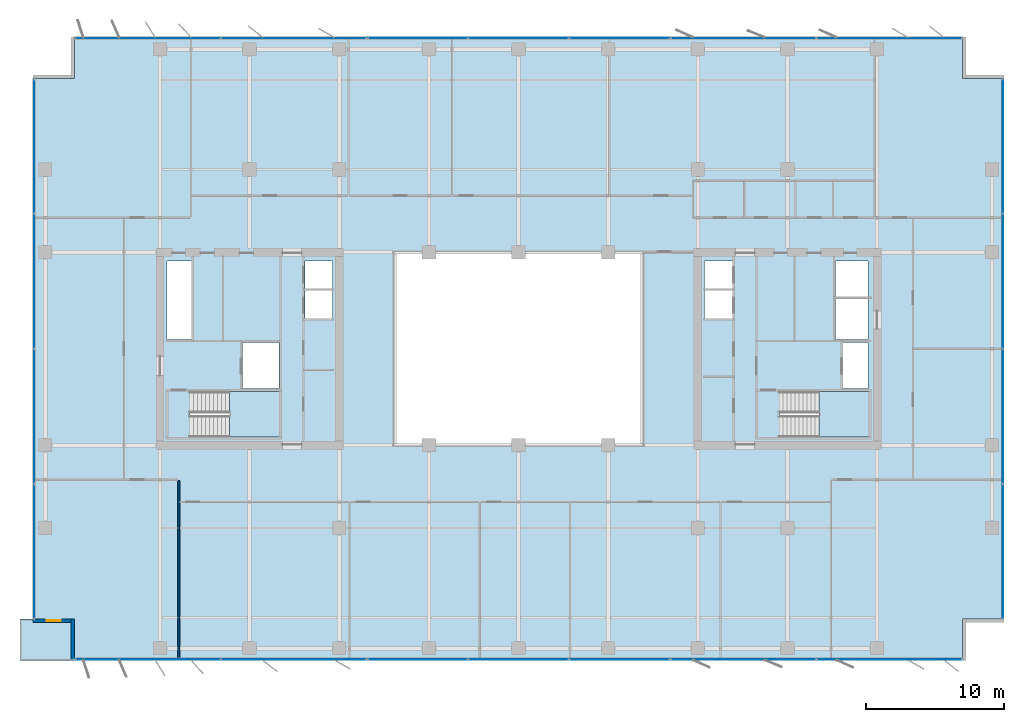
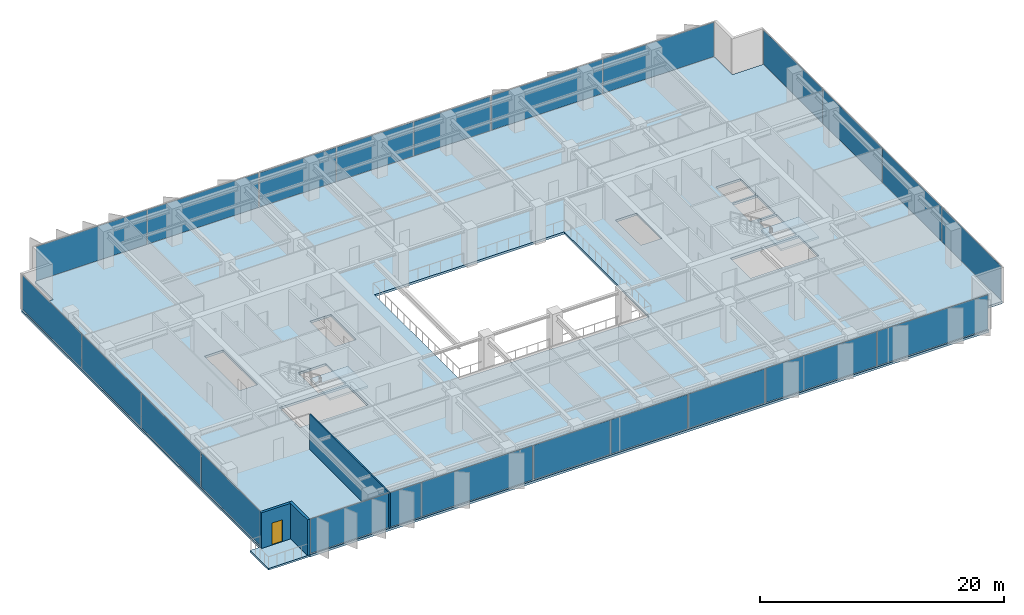
# One storey, part 14 of 22: 22 plates, 4 slabs, 3 walls, 1 door, 1 opening, 10 elements without a shape of their own.
"""IFC4 building model written with IfcOpenShell, lengths in metres."""

import ifcopenshell
import ifcopenshell.guid

model = None  # the IFC model being written
_history = None  # IfcOwnerHistory: only IFC2X3 demands one
_inside = {}  # id of a spatial element -> (the spatial element, [elements in it])
_under = {}  # id of a project, library or spatial element -> (it, [spatial elements below it])
_declared = {}  # id of a project -> (the project, [libraries it declares])
_typed = {}  # id of a type object -> (the type object, [elements of that type])
_made_of = {}  # id of a material, layer set ... -> (it, [elements and type objects made of it])


def new_model(schema):
    """Start an empty IFC model of exactly this schema.

    Asked for "IFC4X3", IfcOpenShell would pick the latest addendum, in which some entities
    have other attributes; the version numbers below select the first issue.
    IFC2X3 requires an IfcOwnerHistory on every rooted entity: one is made here for all.
    """
    global model, _history
    if schema == "IFC4X3":
        model = ifcopenshell.file(schema_version=(4, 3, 0, 0))
    else:
        model = ifcopenshell.file(schema=schema)
    _inside.clear()
    _under.clear()
    _declared.clear()
    _typed.clear()
    _made_of.clear()
    _history = None
    if model.schema == "IFC2X3":
        org = make("IfcOrganization", Name="unknown")
        user = make(
            "IfcPersonAndOrganization",
            ThePerson=make("IfcPerson", FamilyName="unknown"),
            TheOrganization=org,
        )
        app = make(
            "IfcApplication",
            ApplicationDeveloper=org,
            Version="unknown",
            ApplicationFullName="unknown",
            ApplicationIdentifier="unknown",
        )
        _history = make(
            "IfcOwnerHistory",
            OwningUser=user,
            OwningApplication=app,
            ChangeAction="ADDED",
            CreationDate=0,
        )
    return model


def make(cls, **values):
    """One entity of the class cls with the attributes given. An attribute that is None is left unset."""
    return model.create_entity(
        cls, **{name: value for name, value in values.items() if value is not None}
    )


def rooted(cls, **values):
    """An entity with a GlobalId (a new one), such as an element, a storey or a relation."""
    return make(cls, GlobalId=ifcopenshell.guid.new(), OwnerHistory=_history, **values)


def si_unit(unit_type, name, prefix=None):
    """IfcSIUnit, for example si_unit("LENGTHUNIT", "METRE", prefix="MILLI")."""
    return make("IfcSIUnit", UnitType=unit_type, Prefix=prefix, Name=name)


def assignment(units):
    """IfcUnitAssignment: the units of a project."""
    return None if units is None else make("IfcUnitAssignment", Units=units)


def point(xyz):
    """IfcCartesianPoint."""
    return None if xyz is None else make("IfcCartesianPoint", Coordinates=xyz)


def direction(xyz):
    """IfcDirection."""
    return None if xyz is None else make("IfcDirection", DirectionRatios=xyz)


def frame(location, z_axis=None, x_axis=None):
    """IfcAxis2Placement3D, a coordinate frame: its origin and axes. An axis left out is left unset."""
    return make(
        "IfcAxis2Placement3D",
        Location=point(location),
        Axis=direction(z_axis),
        RefDirection=direction(x_axis),
    )


def frame_2d(location, x_axis=None):
    """IfcAxis2Placement2D, a coordinate frame in the plane: its origin and x axis."""
    return make(
        "IfcAxis2Placement2D", Location=point(location), RefDirection=direction(x_axis)
    )


def origin():
    """The frame at (0, 0, 0) with its axes left unset."""
    return frame((0.0, 0.0, 0.0))


def origin_2d():
    """The frame at (0, 0) in the plane with its x axis left unset."""
    return frame_2d((0.0, 0.0))


def place(relative_to, where):
    """IfcLocalPlacement: puts the frame where relative to a parent placement (None: the world)."""
    return make(
        "IfcLocalPlacement", PlacementRelTo=relative_to, RelativePlacement=where
    )


def context(
    kind, dimensions, precision=None, world=None, true_north=None, identifier=None
):
    """IfcGeometricRepresentationContext, for example the 3D "Model" context."""
    return make(
        "IfcGeometricRepresentationContext",
        ContextIdentifier=identifier,
        ContextType=kind,
        CoordinateSpaceDimension=dimensions,
        Precision=precision,
        WorldCoordinateSystem=world,
        TrueNorth=true_north,
    )


def subcontext(parent, identifier, kind, view, scale=None):
    """IfcGeometricRepresentationSubContext, for example "Body" below "Model"."""
    return make(
        "IfcGeometricRepresentationSubContext",
        ContextIdentifier=identifier,
        ContextType=kind,
        ParentContext=parent,
        TargetScale=scale,
        TargetView=view,
    )


def project(units=None, contexts=None):
    """IfcProject with its units and contexts."""
    return rooted(
        "IfcProject",
        Name="project",
        RepresentationContexts=contexts,
        UnitsInContext=assignment(units),
    )


def spatial(cls, under=None, at=None, **own):
    """A site, building, storey or space (cls), placed at a placement, below another one or the project."""
    s = rooted(cls, ObjectPlacement=at, **own)
    if under is not None:
        _under.setdefault(under.id(), (under, []))[1].append(s)
    return s


def polyline(points):
    """IfcPolyline through the points."""
    return make("IfcPolyline", Points=[point(p) for p in points])


def profile(cls, at=None, kind="AREA", **sizes):
    """A parametric profile (cls). Its sizes go by their IFC names, for example OverallWidth=200.0."""
    return make(cls, ProfileType=kind, Position=at, **sizes)


def rectangle(**sizes):
    """IfcRectangleProfileDef."""
    return profile("IfcRectangleProfileDef", **sizes)


def outline(outer, holes=None, kind="AREA"):
    """IfcArbitraryClosedProfileDef: a profile drawn as a closed curve; with holes, ...WithVoids."""
    if holes is None:
        return make("IfcArbitraryClosedProfileDef", ProfileType=kind, OuterCurve=outer)
    return make(
        "IfcArbitraryProfileDefWithVoids",
        ProfileType=kind,
        OuterCurve=outer,
        InnerCurves=holes,
    )


def extrude(swept, where, along, depth):
    """IfcExtrudedAreaSolid: the profile swept, set in the frame where, extruded along a direction by depth."""
    return make(
        "IfcExtrudedAreaSolid",
        SweptArea=swept,
        Position=where,
        ExtrudedDirection=direction(along),
        Depth=depth,
    )


def shape(context_of_items, identifier, shape_type, items):
    """IfcShapeRepresentation: the items that make up one representation, for example the "Body"."""
    return make(
        "IfcShapeRepresentation",
        ContextOfItems=context_of_items,
        RepresentationIdentifier=identifier,
        RepresentationType=shape_type,
        Items=items,
    )


def material(Name=None, Category=None):
    """IfcMaterial."""
    return make("IfcMaterial", Name=Name, Category=Category)


def layer(
    of_material, thickness, ventilated=None, Name=None, Category=None, Priority=None
):
    """IfcMaterialLayer: one layer of a wall or slab, of a material (None: an air gap)."""
    return make(
        "IfcMaterialLayer",
        Material=of_material,
        LayerThickness=thickness,
        IsVentilated=ventilated,
        Name=Name,
        Category=Category,
        Priority=Priority,
    )


def layer_set(layers, Name=None):
    """IfcMaterialLayerSet."""
    return make("IfcMaterialLayerSet", MaterialLayers=layers, LayerSetName=Name)


def made_of(thing, what):
    """Note that an element or type object is made of a material, layer set ...; save() writes the relation."""
    if what is not None:
        _made_of.setdefault(what.id(), (what, []))[1].append(thing)
    return thing


def type_object(cls, material=None, **own):
    """A type object (cls), such as IfcWallType, which elements share."""
    return made_of(rooted(cls, **own), material)


def element(
    cls,
    number,
    at=None,
    inside=None,
    cuts=None,
    type_object=None,
    material=None,
    context=None,
    identifier="Body",
    shape_type=None,
    held_by="IfcProductDefinitionShape",
    body=None,
    shapes=None,
    **own,
):
    """One element of the class cls, such as IfcWall. Its Tag is "e" and its number.

    at: its placement. inside: the storey or other place that contains it. cuts: it is an
    opening in that element (IfcRelVoidsElement). A single representation is given by context,
    identifier, shape_type and body (its items); several are given by shapes. held_by: the class
    of the entity that holds the representations. save() writes the other relations.
    """
    e = rooted(cls, Tag="e%d" % number, ObjectPlacement=at, **own)
    if body is not None:
        shapes = [shape(context, identifier, shape_type, body)]
    if shapes is not None:
        e.Representation = make(held_by, Representations=shapes)
    if inside is not None:
        _inside.setdefault(inside.id(), (inside, []))[1].append(e)
    if cuts is not None:
        rooted(
            "IfcRelVoidsElement", RelatingBuildingElement=cuts, RelatedOpeningElement=e
        )
    if type_object is not None:
        _typed.setdefault(type_object.id(), (type_object, []))[1].append(e)
    return made_of(e, material)


def fill(opening, filler):
    """IfcRelFillsElement: the door or window that sits in an opening."""
    return rooted(
        "IfcRelFillsElement",
        RelatingOpeningElement=opening,
        RelatedBuildingElement=filler,
    )


def aggregate(whole, parts):
    """IfcRelAggregates: a whole, such as a stair, and the parts it consists of."""
    return rooted("IfcRelAggregates", RelatingObject=whole, RelatedObjects=parts)


def save(model, path):
    """Write the relations noted so far, then the file.

    IfcRelAggregates (storeys below a building ...), IfcRelContainedInSpatialStructure (elements
    in a storey), IfcRelDefinesByType, IfcRelAssociatesMaterial and IfcRelDeclares: one each for
    every whole, place, type object, material and project.
    """
    for whole, parts in _under.values():
        aggregate(whole, parts)
    for where, things in _inside.values():
        rooted(
            "IfcRelContainedInSpatialStructure",
            RelatedElements=things,
            RelatingStructure=where,
        )
    for kind, things in _typed.values():
        rooted("IfcRelDefinesByType", RelatedObjects=things, RelatingType=kind)
    for what, things in _made_of.values():
        rooted("IfcRelAssociatesMaterial", RelatedObjects=things, RelatingMaterial=what)
    for by, libraries in _declared.values():
        rooted("IfcRelDeclares", RelatingContext=by, RelatedDefinitions=libraries)
    model.write(path)


model = new_model("IFC4")

# Units and contexts
model_context = context("Model", 3, precision=1e-05, world=origin(), true_north=direction((0.0, 1.0)))
body_context = subcontext(model_context, "Body", "Model", "MODEL_VIEW")
ifc_project = project(units=[si_unit("LENGTHUNIT", "METRE"), si_unit("AREAUNIT", "SQUARE_METRE"), si_unit("VOLUMEUNIT", "CUBIC_METRE"), si_unit("PLANEANGLEUNIT", "RADIAN"), si_unit("MASSUNIT", "GRAM", prefix="KILO")], contexts=[model_context])

# Site, building, storey
site_placement = place(None, origin())
site = spatial("IfcSite", under=ifc_project, at=site_placement, CompositionType="ELEMENT")
building_placement = place(site_placement, origin())
building = spatial("IfcBuilding", under=site, at=building_placement, Name="Putna Gate Headquarters", CompositionType="ELEMENT")
storey_placement = place(building_placement, frame((0.0, 0.0, 170.800048828125)))
storey = spatial("IfcBuildingStorey", under=building, at=storey_placement, Name="L42", CompositionType="ELEMENT", Elevation=170.800048828125)

# Stair, slab
ifc_material_1 = material(Name="Concrete C40/50", Category="concrete")
stair_type_1 = type_object("IfcStairType", Name="STAIR-ST1", PredefinedType="HALF_TURN_STAIR", material=ifc_material_1)
stair_1_placement = place(storey_placement, origin())
stair_1 = element("IfcStair", 1, at=stair_1_placement, inside=storey, type_object=stair_type_1, Name="L42 West Core Exit Stair ST1", PredefinedType="HALF_TURN_STAIR")
ifc_layer_1 = layer(ifc_material_1, 0.199951171875)
ifc_layer_set_1 = layer_set([ifc_layer_1], Name="Concrete C40/50")
slab_type_1 = type_object("IfcSlabType", Name="LANDING-ST1", PredefinedType="LANDING", material=ifc_layer_set_1)
slab_1_placement = place(storey_placement, frame((0.0, 0.0, 1.699951171875)))
slab_1 = element("IfcSlab", 2, at=slab_1_placement, type_object=slab_type_1, Name="ST1 landing 1", PredefinedType="LANDING", context=body_context, shape_type="SweptSolid", body=[
    extrude(outline(polyline([(18.050048828125, 19.60009765625), (21.64990234375, 19.60009765625), (21.64990234375, 22.89990234375), (18.050048828125, 22.89990234375), (18.050048828125, 19.60009765625)])), origin(), (0.0, 0.0, 1.0), 0.199951171875),
])
aggregate(stair_1, [slab_1])

stair_type_2 = type_object("IfcStairType", Name="STAIR-ST2", PredefinedType="HALF_TURN_STAIR", material=ifc_material_1)
stair_2_placement = place(storey_placement, origin())
stair_2 = element("IfcStair", 3, at=stair_2_placement, inside=storey, type_object=stair_type_2, Name="L42 East Core Exit Stair ST2", PredefinedType="HALF_TURN_STAIR")
ifc_layer_2 = layer(ifc_material_1, 0.199951171875)
ifc_layer_set_2 = layer_set([ifc_layer_2], Name="Concrete C40/50")
slab_type_2 = type_object("IfcSlabType", Name="LANDING-ST2", PredefinedType="LANDING", material=ifc_layer_set_2)
slab_2_placement = place(storey_placement, frame((0.0, 0.0, 1.699951171875)))
slab_2 = element("IfcSlab", 4, at=slab_2_placement, type_object=slab_type_2, Name="ST2 landing 1", PredefinedType="LANDING", context=body_context, shape_type="SweptSolid", body=[
    extrude(outline(polyline([(60.800048828125, 19.60009765625), (64.39990234375, 19.60009765625), (64.39990234375, 22.89990234375), (60.800048828125, 22.89990234375), (60.800048828125, 19.60009765625)])), origin(), (0.0, 0.0, 1.0), 0.199951171875),
])
aggregate(stair_2, [slab_2])

# Curtain wall, plates
ifc_material_2 = material(Name="Anodised bronze aluminium curtain wall", Category="aluminium")
ifc_layer_3 = layer(ifc_material_2, 0.159912109375)
ifc_layer_set_3 = layer_set([ifc_layer_3], Name="Anodised bronze aluminium curtain wall")
curtain_wall_type_1 = type_object("IfcCurtainWallType", Name="CW-SYS-Z3", PredefinedType="USERDEFINED", material=ifc_layer_set_3)
curtain_wall_1_placement = place(storey_placement, origin())
curtain_wall_1 = element("IfcCurtainWall", 5, at=curtain_wall_1_placement, inside=storey, type_object=curtain_wall_type_1, Name="L42 South West Curtain Wall", ObjectType="STICK CURTAIN WALL", PredefinedType="USERDEFINED")
ifc_material_3 = material(Name="Solar-control triple low-E glass", Category="glass")
ifc_layer_4 = layer(ifc_material_3, 0.028076171875)
ifc_layer_set_4 = layer_set([ifc_layer_4], Name="Solar-control triple low-E glass")
plate_type_1 = type_object("IfcPlateType", Name="PAN-CWP-3", PredefinedType="CURTAIN_PANEL", material=ifc_layer_set_4)
plate_1_placement = place(storey_placement, frame((12.1162109375, 3.47998046875, 0.06005859375), z_axis=(0.0, 0.0, 1.0), x_axis=(1.0, 0.0, 0.0)))
plate_1 = element("IfcPlate", 6, at=plate_1_placement, type_object=plate_type_1, Name="CWS-3 panel 1.1", PredefinedType="CURTAIN_PANEL", context=body_context, shape_type="SweptSolid", body=[
    extrude(rectangle(XDim=10.50244140625, YDim=0.028076171875, at=origin_2d()), origin(), (0.0, 0.0, 1.0), 3.451904296875),
])
plate_2_placement = place(storey_placement, frame((22.683837890625, 3.47998046875, 0.06005859375), z_axis=(0.0, 0.0, 1.0), x_axis=(1.0, 0.0, 0.0)))
plate_2 = element("IfcPlate", 7, at=plate_2_placement, type_object=plate_type_1, Name="CWS-3 panel 2.1", PredefinedType="CURTAIN_PANEL", context=body_context, shape_type="SweptSolid", body=[
    extrude(rectangle(XDim=10.50244140625, YDim=0.028076171875, at=origin_2d()), origin(), (0.0, 0.0, 1.0), 3.451904296875),
])
aggregate(curtain_wall_1, [plate_1, plate_2])

curtain_wall_2_placement = place(storey_placement, origin())
curtain_wall_2 = element("IfcCurtainWall", 8, at=curtain_wall_2_placement, inside=storey, type_object=curtain_wall_type_1, Name="L42 South East Curtain Wall", ObjectType="STICK CURTAIN WALL", PredefinedType="USERDEFINED")
plate_3_placement = place(storey_placement, frame((55.316162109375, 3.47998046875, 0.06005859375), z_axis=(0.0, 0.0, 1.0), x_axis=(1.0, 0.0, 0.0)))
plate_3 = element("IfcPlate", 9, at=plate_3_placement, type_object=plate_type_1, Name="CWS-3 panel 1.1", PredefinedType="CURTAIN_PANEL", context=body_context, shape_type="SweptSolid", body=[
    extrude(rectangle(XDim=10.50244140625, YDim=0.028076171875, at=origin_2d()), origin(), (0.0, 0.0, 1.0), 3.451904296875),
])
plate_4_placement = place(storey_placement, frame((65.8837890625, 3.47998046875, 0.06005859375), z_axis=(0.0, 0.0, 1.0), x_axis=(1.0, 0.0, 0.0)))
plate_4 = element("IfcPlate", 10, at=plate_4_placement, type_object=plate_type_1, Name="CWS-3 panel 2.1", PredefinedType="CURTAIN_PANEL", context=body_context, shape_type="SweptSolid", body=[
    extrude(rectangle(XDim=10.50244140625, YDim=0.028076171875, at=origin_2d()), origin(), (0.0, 0.0, 1.0), 3.451904296875),
])
aggregate(curtain_wall_2, [plate_3, plate_4])

curtain_wall_3_placement = place(storey_placement, origin())
curtain_wall_3 = element("IfcCurtainWall", 11, at=curtain_wall_3_placement, inside=storey, type_object=curtain_wall_type_1, Name="L42 North West Curtain Wall", ObjectType="STICK CURTAIN WALL", PredefinedType="USERDEFINED")
plate_5_placement = place(storey_placement, frame((12.1162109375, 48.52001953125, 0.06005859375), z_axis=(0.0, 0.0, 1.0), x_axis=(1.0, 0.0, 0.0)))
plate_5 = element("IfcPlate", 12, at=plate_5_placement, type_object=plate_type_1, Name="CWS-3 panel 1.1", PredefinedType="CURTAIN_PANEL", context=body_context, shape_type="SweptSolid", body=[
    extrude(rectangle(XDim=10.50244140625, YDim=0.028076171875, at=origin_2d()), origin(), (0.0, 0.0, 1.0), 3.451904296875),
])
plate_6_placement = place(storey_placement, frame((22.683837890625, 48.52001953125, 0.06005859375), z_axis=(0.0, 0.0, 1.0), x_axis=(1.0, 0.0, 0.0)))
plate_6 = element("IfcPlate", 13, at=plate_6_placement, type_object=plate_type_1, Name="CWS-3 panel 2.1", PredefinedType="CURTAIN_PANEL", context=body_context, shape_type="SweptSolid", body=[
    extrude(rectangle(XDim=10.50244140625, YDim=0.028076171875, at=origin_2d()), origin(), (0.0, 0.0, 1.0), 3.451904296875),
])
aggregate(curtain_wall_3, [plate_5, plate_6])

curtain_wall_4_placement = place(storey_placement, origin())
curtain_wall_4 = element("IfcCurtainWall", 14, at=curtain_wall_4_placement, inside=storey, type_object=curtain_wall_type_1, Name="L42 North East Curtain Wall", ObjectType="STICK CURTAIN WALL", PredefinedType="USERDEFINED")
plate_7_placement = place(storey_placement, frame((55.316162109375, 48.52001953125, 0.06005859375), z_axis=(0.0, 0.0, 1.0), x_axis=(1.0, 0.0, 0.0)))
plate_7 = element("IfcPlate", 15, at=plate_7_placement, type_object=plate_type_1, Name="CWS-3 panel 1.1", PredefinedType="CURTAIN_PANEL", context=body_context, shape_type="SweptSolid", body=[
    extrude(rectangle(XDim=10.50244140625, YDim=0.028076171875, at=origin_2d()), origin(), (0.0, 0.0, 1.0), 3.451904296875),
])
plate_8_placement = place(storey_placement, frame((65.8837890625, 48.52001953125, 0.06005859375), z_axis=(0.0, 0.0, 1.0), x_axis=(1.0, 0.0, 0.0)))
plate_8 = element("IfcPlate", 16, at=plate_8_placement, type_object=plate_type_1, Name="CWS-3 panel 2.1", PredefinedType="CURTAIN_PANEL", context=body_context, shape_type="SweptSolid", body=[
    extrude(rectangle(XDim=10.50244140625, YDim=0.028076171875, at=origin_2d()), origin(), (0.0, 0.0, 1.0), 3.451904296875),
])
aggregate(curtain_wall_4, [plate_7, plate_8])

curtain_wall_5_placement = place(storey_placement, origin())
curtain_wall_5 = element("IfcCurtainWall", 17, at=curtain_wall_5_placement, inside=storey, type_object=curtain_wall_type_1, Name="L42 West Curtain Wall", ObjectType="STICK CURTAIN WALL", PredefinedType="USERDEFINED")
plate_9_placement = place(storey_placement, frame((3.8798828125, 11.316162109375, 0.06005859375), z_axis=(0.0, 0.0, 1.0), x_axis=(0.0, 1.0, 0.0)))
plate_9 = element("IfcPlate", 18, at=plate_9_placement, type_object=plate_type_1, Name="CWS-3 panel 1.1", PredefinedType="CURTAIN_PANEL", context=body_context, shape_type="SweptSolid", body=[
    extrude(rectangle(XDim=9.702392578125, YDim=0.028076171875, at=origin_2d()), origin(), (0.0, 0.0, 1.0), 3.451904296875),
])
plate_10_placement = place(storey_placement, frame((3.8798828125, 21.10009765625, 0.06005859375), z_axis=(0.0, 0.0, 1.0), x_axis=(0.0, 1.0, 0.0)))
plate_10 = element("IfcPlate", 19, at=plate_10_placement, type_object=plate_type_1, Name="CWS-3 panel 2.1", PredefinedType="CURTAIN_PANEL", context=body_context, shape_type="SweptSolid", body=[
    extrude(rectangle(XDim=9.735107421875, YDim=0.028076171875, at=origin_2d()), origin(), (0.0, 0.0, 1.0), 3.451904296875),
])
plate_11_placement = place(storey_placement, frame((3.8798828125, 30.89990234375, 0.06005859375), z_axis=(0.0, 0.0, 1.0), x_axis=(0.0, 1.0, 0.0)))
plate_11 = element("IfcPlate", 20, at=plate_11_placement, type_object=plate_type_1, Name="CWS-3 panel 3.1", PredefinedType="CURTAIN_PANEL", context=body_context, shape_type="SweptSolid", body=[
    extrude(rectangle(XDim=9.735107421875, YDim=0.028076171875, at=origin_2d()), origin(), (0.0, 0.0, 1.0), 3.451904296875),
])
plate_12_placement = place(storey_placement, frame((3.8798828125, 40.683837890625, 0.06005859375), z_axis=(0.0, 0.0, 1.0), x_axis=(0.0, 1.0, 0.0)))
plate_12 = element("IfcPlate", 21, at=plate_12_placement, type_object=plate_type_1, Name="CWS-3 panel 4.1", PredefinedType="CURTAIN_PANEL", context=body_context, shape_type="SweptSolid", body=[
    extrude(rectangle(XDim=9.702392578125, YDim=0.028076171875, at=origin_2d()), origin(), (0.0, 0.0, 1.0), 3.451904296875),
])
aggregate(curtain_wall_5, [plate_9, plate_10, plate_11, plate_12])

curtain_wall_6_placement = place(storey_placement, origin())
curtain_wall_6 = element("IfcCurtainWall", 22, at=curtain_wall_6_placement, inside=storey, type_object=curtain_wall_type_1, Name="L42 East Curtain Wall", ObjectType="STICK CURTAIN WALL", PredefinedType="USERDEFINED")
plate_13_placement = place(storey_placement, frame((74.1201171875, 11.316162109375, 0.06005859375), z_axis=(0.0, 0.0, 1.0), x_axis=(0.0, 1.0, 0.0)))
plate_13 = element("IfcPlate", 23, at=plate_13_placement, type_object=plate_type_1, Name="CWS-3 panel 1.1", PredefinedType="CURTAIN_PANEL", context=body_context, shape_type="SweptSolid", body=[
    extrude(rectangle(XDim=9.702392578125, YDim=0.028076171875, at=origin_2d()), origin(), (0.0, 0.0, 1.0), 3.451904296875),
])
plate_14_placement = place(storey_placement, frame((74.1201171875, 21.10009765625, 0.06005859375), z_axis=(0.0, 0.0, 1.0), x_axis=(0.0, 1.0, 0.0)))
plate_14 = element("IfcPlate", 24, at=plate_14_placement, type_object=plate_type_1, Name="CWS-3 panel 2.1", PredefinedType="CURTAIN_PANEL", context=body_context, shape_type="SweptSolid", body=[
    extrude(rectangle(XDim=9.735107421875, YDim=0.028076171875, at=origin_2d()), origin(), (0.0, 0.0, 1.0), 3.451904296875),
])
plate_15_placement = place(storey_placement, frame((74.1201171875, 30.89990234375, 0.06005859375), z_axis=(0.0, 0.0, 1.0), x_axis=(0.0, 1.0, 0.0)))
plate_15 = element("IfcPlate", 25, at=plate_15_placement, type_object=plate_type_1, Name="CWS-3 panel 3.1", PredefinedType="CURTAIN_PANEL", context=body_context, shape_type="SweptSolid", body=[
    extrude(rectangle(XDim=9.735107421875, YDim=0.028076171875, at=origin_2d()), origin(), (0.0, 0.0, 1.0), 3.451904296875),
])
plate_16_placement = place(storey_placement, frame((74.1201171875, 40.683837890625, 0.06005859375), z_axis=(0.0, 0.0, 1.0), x_axis=(0.0, 1.0, 0.0)))
plate_16 = element("IfcPlate", 26, at=plate_16_placement, type_object=plate_type_1, Name="CWS-3 panel 4.1", PredefinedType="CURTAIN_PANEL", context=body_context, shape_type="SweptSolid", body=[
    extrude(rectangle(XDim=9.702392578125, YDim=0.028076171875, at=origin_2d()), origin(), (0.0, 0.0, 1.0), 3.451904296875),
])
aggregate(curtain_wall_6, [plate_13, plate_14, plate_15, plate_16])

ifc_layer_5 = layer(ifc_material_2, 0.179931640625)
ifc_layer_set_5 = layer_set([ifc_layer_5], Name="Anodised bronze aluminium curtain wall")
curtain_wall_type_2 = type_object("IfcCurtainWallType", Name="CW-SYS-ATR", PredefinedType="USERDEFINED", material=ifc_layer_set_5)
curtain_wall_7_placement = place(storey_placement, origin())
curtain_wall_7 = element("IfcCurtainWall", 27, at=curtain_wall_7_placement, inside=storey, type_object=curtain_wall_type_2, Name="L42 South Atrium Clear Glazing", ObjectType="ATRIUM GLAZING", PredefinedType="USERDEFINED")
ifc_material_4 = material(Name="Clear low-iron triple glazing", Category="glass")
ifc_layer_6 = layer(ifc_material_4, 0.0400390625)
ifc_layer_set_6 = layer_set([ifc_layer_6], Name="Clear low-iron triple glazing")
plate_type_2 = type_object("IfcPlateType", Name="PAN-CWP-AT", PredefinedType="CURTAIN_PANEL", material=ifc_layer_set_6)
plate_17_placement = place(storey_placement, frame((31.68408203125, 3.47998046875, 0.06982421875), z_axis=(0.0, 0.0, 1.0), x_axis=(1.0, 0.0, 0.0)))
plate_17 = element("IfcPlate", 28, at=plate_17_placement, type_object=plate_type_2, Name="CWS-AT panel 1.1", PredefinedType="CURTAIN_PANEL", context=body_context, shape_type="SweptSolid", body=[
    extrude(rectangle(XDim=7.228271484375, YDim=0.0400390625, at=origin_2d()), origin(), (0.0, 0.0, 1.0), 3.431884765625),
])
plate_18_placement = place(storey_placement, frame((39.0, 3.47998046875, 0.06982421875), z_axis=(0.0, 0.0, 1.0), x_axis=(1.0, 0.0, 0.0)))
plate_18 = element("IfcPlate", 29, at=plate_18_placement, type_object=plate_type_2, Name="CWS-AT panel 2.1", PredefinedType="CURTAIN_PANEL", context=body_context, shape_type="SweptSolid", body=[
    extrude(rectangle(XDim=7.263427734375, YDim=0.0400390625, at=origin_2d()), origin(), (0.0, 0.0, 1.0), 3.431884765625),
])
plate_19_placement = place(storey_placement, frame((46.31591796875, 3.47998046875, 0.06982421875), z_axis=(0.0, 0.0, 1.0), x_axis=(1.0, 0.0, 0.0)))
plate_19 = element("IfcPlate", 30, at=plate_19_placement, type_object=plate_type_2, Name="CWS-AT panel 3.1", PredefinedType="CURTAIN_PANEL", context=body_context, shape_type="SweptSolid", body=[
    extrude(rectangle(XDim=7.228271484375, YDim=0.0400390625, at=origin_2d()), origin(), (0.0, 0.0, 1.0), 3.431884765625),
])
aggregate(curtain_wall_7, [plate_17, plate_18, plate_19])

curtain_wall_8_placement = place(storey_placement, origin())
curtain_wall_8 = element("IfcCurtainWall", 31, at=curtain_wall_8_placement, inside=storey, type_object=curtain_wall_type_2, Name="L42 North Atrium Clear Glazing", ObjectType="ATRIUM GLAZING", PredefinedType="USERDEFINED")
plate_20_placement = place(storey_placement, frame((31.68408203125, 48.52001953125, 0.06982421875), z_axis=(0.0, 0.0, 1.0), x_axis=(1.0, 0.0, 0.0)))
plate_20 = element("IfcPlate", 32, at=plate_20_placement, type_object=plate_type_2, Name="CWS-AT panel 1.1", PredefinedType="CURTAIN_PANEL", context=body_context, shape_type="SweptSolid", body=[
    extrude(rectangle(XDim=7.228271484375, YDim=0.0400390625, at=origin_2d()), origin(), (0.0, 0.0, 1.0), 3.431884765625),
])
plate_21_placement = place(storey_placement, frame((39.0, 48.52001953125, 0.06982421875), z_axis=(0.0, 0.0, 1.0), x_axis=(1.0, 0.0, 0.0)))
plate_21 = element("IfcPlate", 33, at=plate_21_placement, type_object=plate_type_2, Name="CWS-AT panel 2.1", PredefinedType="CURTAIN_PANEL", context=body_context, shape_type="SweptSolid", body=[
    extrude(rectangle(XDim=7.263427734375, YDim=0.0400390625, at=origin_2d()), origin(), (0.0, 0.0, 1.0), 3.431884765625),
])
plate_22_placement = place(storey_placement, frame((46.31591796875, 48.52001953125, 0.06982421875), z_axis=(0.0, 0.0, 1.0), x_axis=(1.0, 0.0, 0.0)))
plate_22 = element("IfcPlate", 34, at=plate_22_placement, type_object=plate_type_2, Name="CWS-AT panel 3.1", PredefinedType="CURTAIN_PANEL", context=body_context, shape_type="SweptSolid", body=[
    extrude(rectangle(XDim=7.228271484375, YDim=0.0400390625, at=origin_2d()), origin(), (0.0, 0.0, 1.0), 3.431884765625),
])
aggregate(curtain_wall_8, [plate_20, plate_21, plate_22])

# Slabs
ifc_layer_7 = layer(ifc_material_1, 0.179931640625)
ifc_layer_set_7 = layer_set([ifc_layer_7], Name="Concrete C40/50")
slab_type_3 = type_object("IfcSlabType", Name="SLAB-TERRACE-180", PredefinedType="FLOOR", material=ifc_layer_set_7)
slab_3_placement = place(storey_placement, frame((0.0, 0.0, -0.179931640625)))
element("IfcSlab", 35, at=slab_3_placement, inside=storey, type_object=slab_type_3, Name="L42 Spiral Sky-Garden Terrace Slab (SW)", PredefinedType="FLOOR", context=body_context, shape_type="SweptSolid", body=[
    extrude(outline(polyline([(2.85009765625, 3.39990234375), (6.80810546875, 3.39990234375), (6.80810546875, 6.407958984375), (2.85009765625, 6.407958984375), (2.85009765625, 3.39990234375)])), origin(), (0.0, 0.0, 1.0), 0.179931640625),
])
ifc_layer_8 = layer(ifc_material_1, 0.22802734375)
ifc_layer_set_8 = layer_set([ifc_layer_8], Name="Concrete C40/50")
slab_type_4 = type_object("IfcSlabType", Name="SLAB-Z3-228", PredefinedType="FLOOR", material=ifc_layer_set_8)
slab_4_placement = place(storey_placement, frame((0.0, 0.0, -0.22802734375)))
element("IfcSlab", 36, at=slab_4_placement, inside=storey, type_object=slab_type_4, Name="L42 Composite Floor Slab", PredefinedType="FLOOR", context=body_context, shape_type="SweptSolid", body=[
    extrude(outline(polyline([(6.800048828125, 3.39990234375), (71.199951171875, 3.39990234375), (71.199951171875, 6.39990234375), (74.199951171875, 6.39990234375), (74.199951171875, 45.60009765625), (71.199951171875, 45.60009765625), (71.199951171875, 48.60009765625), (6.800048828125, 48.60009765625), (6.800048828125, 45.60009765625), (3.800048828125, 45.60009765625), (3.800048828125, 6.39990234375), (6.800048828125, 6.39990234375), (6.800048828125, 3.39990234375)]), holes=[polyline([(15.1650390625, 19.60009765625), (21.64990234375, 19.60009765625), (21.64990234375, 22.89990234375), (15.1650390625, 22.89990234375), (15.1650390625, 19.60009765625)]), polyline([(57.9150390625, 19.60009765625), (64.39990234375, 19.60009765625), (64.39990234375, 22.89990234375), (57.9150390625, 22.89990234375), (57.9150390625, 19.60009765625)]), polyline([(13.52001953125, 26.659912109375), (15.280029296875, 26.659912109375), (15.280029296875, 32.35009765625), (13.52001953125, 32.35009765625), (13.52001953125, 26.659912109375)]), polyline([(61.969970703125, 29.780029296875), (64.35009765625, 29.780029296875), (64.35009765625, 32.35009765625), (61.969970703125, 32.35009765625), (61.969970703125, 29.780029296875)]), polyline([(18.97998046875, 23.1201171875), (21.6201171875, 23.1201171875), (21.6201171875, 26.4599609375), (18.97998046875, 26.4599609375), (18.97998046875, 23.1201171875)]), polyline([(62.52001953125, 23.1201171875), (64.35009765625, 23.1201171875), (64.35009765625, 26.4599609375), (62.52001953125, 26.4599609375), (62.52001953125, 23.1201171875)]), polyline([(61.969970703125, 26.659912109375), (64.35009765625, 26.659912109375), (64.35009765625, 29.6201171875), (61.969970703125, 29.6201171875), (61.969970703125, 26.659912109375)]), polyline([(23.5, 28.199951171875), (25.5, 28.199951171875), (25.5, 32.35009765625), (23.5, 32.35009765625), (23.5, 28.199951171875)]), polyline([(52.47998046875, 28.199951171875), (54.5, 28.199951171875), (54.5, 32.35009765625), (52.47998046875, 32.35009765625), (52.47998046875, 28.199951171875)]), polyline([(30.0, 19.0), (48.0, 19.0), (48.0, 33.0), (30.0, 33.0), (30.0, 19.0)])]), origin(), (0.0, 0.0, 1.0), 0.22802734375),
])

# Wall
ifc_material_5 = material(Name="Precast concrete C40/50", Category="concrete")
ifc_layer_9 = layer(ifc_material_5, 0.239990234375)
ifc_layer_set_9 = layer_set([ifc_layer_9], Name="Precast concrete C40/50")
wall_type_1 = type_object("IfcWallType", Name="WALL-EXT-TERR-240", PredefinedType="STANDARD", material=ifc_layer_set_9)
wall_1_placement = place(storey_placement, frame((6.679931640625, 3.39990234375, 0.0), z_axis=(0.0, 0.0, 1.0), x_axis=(0.0, 1.0, 0.0)))
element("IfcWall", 37, at=wall_1_placement, inside=storey, type_object=wall_type_1, Name="L42 Corner Notch Return Wall SW-V", PredefinedType="STANDARD", context=body_context, shape_type="SweptSolid", body=[
    extrude(rectangle(XDim=3.0, YDim=0.239990234375, at=frame_2d((1.5, 0.0))), origin(), (0.0, 0.0, 1.0), 3.572021484375),
])

# Wall, opening, door
wall_2_placement = place(storey_placement, frame((6.800048828125, 6.280029296875, 0.0), z_axis=(0.0, 0.0, 1.0), x_axis=(-1.0, 0.0, 0.0)))
wall_2 = element("IfcWall", 38, at=wall_2_placement, inside=storey, type_object=wall_type_1, Name="L42 Corner Notch Return Wall SW-H", PredefinedType="STANDARD", context=body_context, shape_type="SweptSolid", body=[
    extrude(rectangle(XDim=3.0, YDim=0.239990234375, at=frame_2d((1.5, 0.0))), origin(), (0.0, 0.0, 1.0), 3.572021484375),
])
opening_placement = place(wall_2_placement, frame((1.0, 0.0, 0.0)))
opening = element("IfcOpeningElement", 39, at=opening_placement, cuts=wall_2, Name="Opening TRD-1", PredefinedType="OPENING", context=body_context, shape_type="SweptSolid", body=[
    extrude(rectangle(XDim=1.0, YDim=2.199951171875, at=frame_2d((0.5, 1.10009765625))), frame((0.0, 0.1298828125, 0.0), z_axis=(0.0, -1.0, 0.0), x_axis=(1.0, 0.0, 0.0)), (0.0, 0.0, 1.0), 0.260009765625),
])
ifc_material_6 = material(Name="Thermally broken bronze glazed terrace door")
door_type = type_object("IfcDoorType", Name="DOOR-TERR-EXT-1000", OperationType="NOTDEFINED", PredefinedType="DOOR", material=ifc_material_6)
door_placement = place(opening_placement, origin())
door = element("IfcDoor", 40, at=door_placement, inside=storey, type_object=door_type, Name="L42 Spiral Sky Terrace Door SW", OperationType="SINGLE_SWING_LEFT", OverallHeight=2.199951171875, OverallWidth=1.0, PredefinedType="DOOR", context=body_context, shape_type="SweptSolid", body=[
    extrude(rectangle(XDim=1.0, YDim=2.199951171875, at=frame_2d((0.5, 1.10009765625))), frame((0.0, 0.02490234375, 0.0), z_axis=(0.0, -1.0, 0.0), x_axis=(1.0, 0.0, 0.0)), (0.0, 0.0, 1.0), 0.050048828125),
])
fill(opening, door)

# Wall
ifc_material_7 = material(Name="Acoustic gypsum board on metal stud")
ifc_layer_10 = layer(ifc_material_7, 0.1201171875)
ifc_layer_set_10 = layer_set([ifc_layer_10], Name="Acoustic gypsum board on metal stud")
wall_type_2 = type_object("IfcWallType", Name="WALL-PART-120", PredefinedType="PARTITIONING", material=ifc_layer_set_10)
wall_3_placement = place(storey_placement, frame((14.35986328125, 3.419921875, 0.0), z_axis=(0.0, 0.0, 1.0), x_axis=(0.0, 1.0, 0.0)))
element("IfcWall", 41, at=wall_3_placement, inside=storey, type_object=wall_type_2, Name="L42 Interior Wall PART-L42-SB-DIV-01", PredefinedType="PARTITIONING", context=body_context, shape_type="SweptSolid", body=[
    extrude(rectangle(XDim=13.02001953125, YDim=0.1201171875, at=frame_2d((6.510009765625, 0.0))), origin(), (0.0, 0.0, 1.0), 3.572021484375),
])

save(model, "model.ifc")
